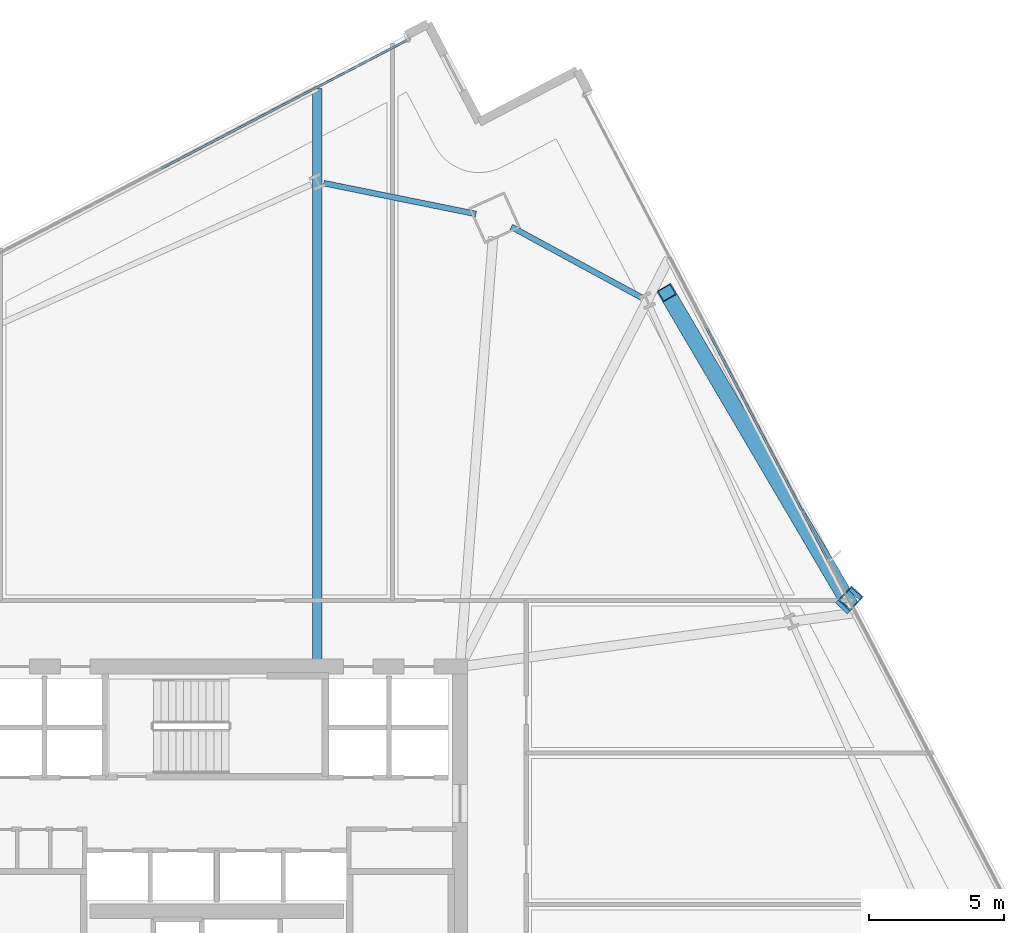
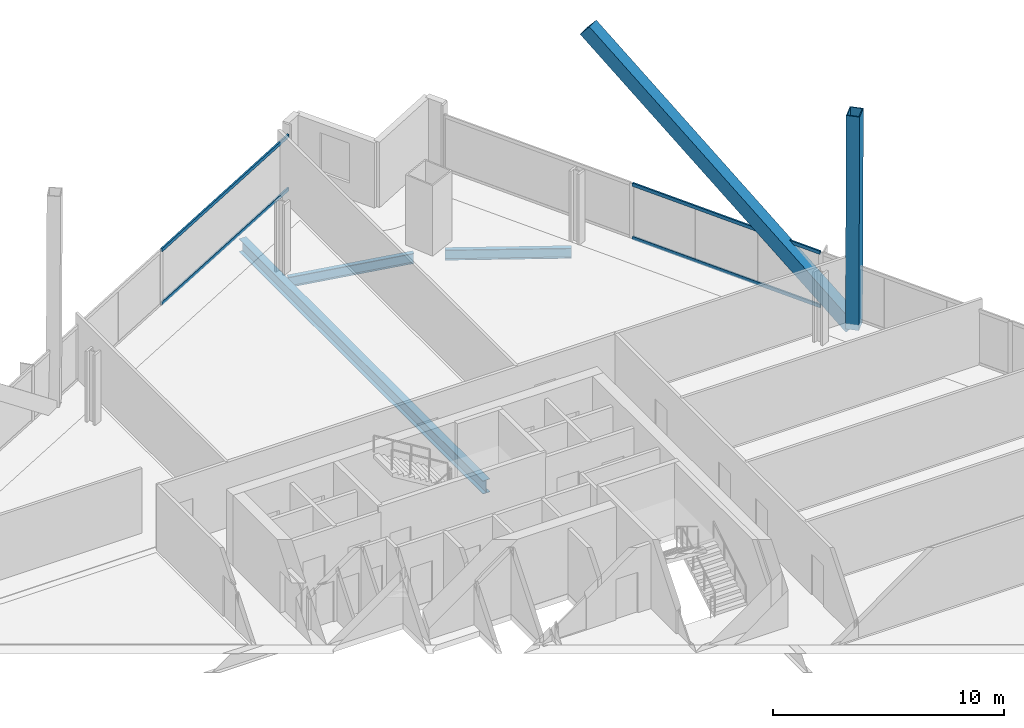
# One storey, part 22 of 33: 6 members, 3 beams, 2 elements without a shape of their own.
"""IFC4 building model written with IfcOpenShell, lengths in metres."""

from ifc_helpers import new_model, si_unit, direction, frame, origin, origin_2d, place, context, subcontext, project, spatial, hollow_rectangle, i_section, extrude, material, material_profile, profile_set, type_object, element, aggregate, save


model = new_model("IFC4")

# Units and contexts
model_context = context("Model", 3, precision=1e-05, world=origin(), true_north=direction((0.0, 1.0)))
body_context = subcontext(model_context, "Body", "Model", "MODEL_VIEW")
ifc_project = project(units=[si_unit("LENGTHUNIT", "METRE"), si_unit("AREAUNIT", "SQUARE_METRE"), si_unit("VOLUMEUNIT", "CUBIC_METRE"), si_unit("PLANEANGLEUNIT", "RADIAN"), si_unit("MASSUNIT", "GRAM", prefix="KILO")], contexts=[model_context])

# Site, building, storey
site_placement = place(None, origin())
site = spatial("IfcSite", under=ifc_project, at=site_placement, CompositionType="ELEMENT")
building_placement = place(site_placement, origin())
building = spatial("IfcBuilding", under=site, at=building_placement, Name="Haldenkirk Collegiate Tower", CompositionType="ELEMENT")
storey_placement = place(building_placement, frame((0.0, 0.0, 120.449951171875)))
storey = spatial("IfcBuildingStorey", under=building, at=storey_placement, Name="L29", CompositionType="ELEMENT", Elevation=120.449951171875)

# Beams
ifc_material_1 = material(Name="Steel ASTM A992 Grade 50", Category="steel")
ifc_material_profile_1 = material_profile(ifc_material_1, i_section(OverallWidth=0.35498046875, OverallDepth=0.696044921875, WebThickness=0.015380859375, FlangeThickness=0.02490234375, at=origin_2d()), Name="W27X146")
ifc_profile_set_1 = profile_set([ifc_material_profile_1], Name="Steel ASTM A992 Grade 50")
beam_type_1 = type_object("IfcBeamType", Name="BM-GIRDER-W27X146", PredefinedType="BEAM", material=ifc_profile_set_1)
beam_1_placement = place(storey_placement, frame((39.71630859375, 55.39697265625, -0.64794921875), z_axis=(0.0, -1.0, 0.0), x_axis=(1.0, 0.0, 0.0)))
element("IfcBeam", 1, at=beam_1_placement, inside=storey, type_object=beam_type_1, Name="L29 primary floor girder 11", PredefinedType="BEAM", context=body_context, shape_type="SweptSolid", body=[
    extrude(i_section(OverallWidth=0.35498046875, OverallDepth=0.696044921875, WebThickness=0.015380859375, FlangeThickness=0.02490234375, at=origin_2d()), origin(), (0.0, 0.0, 1.0), 21.14208984375),
])
ifc_material_profile_2 = material_profile(ifc_material_1, i_section(OverallWidth=0.2119140625, OverallDepth=0.5439453125, WebThickness=0.01318359375, FlangeThickness=0.021240234375, at=origin_2d()), Name="W21X83")
ifc_profile_set_2 = profile_set([ifc_material_profile_2], Name="Steel ASTM A992 Grade 50")
beam_type_2 = type_object("IfcBeamType", Name="BM-SPANDREL-W21X83", PredefinedType="SPANDREL", material=ifc_profile_set_2)
beam_2_placement = place(storey_placement, frame((51.714599609375, 47.66015625, -0.572021484375), z_axis=(-0.878835810931, 0.477124320723, 0.0), x_axis=(-0.477124320723, -0.878835810931, 0.0)))
element("IfcBeam", 2, at=beam_2_placement, inside=storey, type_object=beam_type_2, Name="L29 perimeter spandrel beam 08", PredefinedType="SPANDREL", context=body_context, shape_type="SweptSolid", body=[
    extrude(i_section(OverallWidth=0.2119140625, OverallDepth=0.5439453125, WebThickness=0.01318359375, FlangeThickness=0.021240234375, at=origin_2d()), origin(), (0.0, 0.0, 1.0), 5.477783203125),
])
beam_3_placement = place(storey_placement, frame((45.590087890625, 50.750244140625, -0.572021484375), z_axis=(-0.980069318183, 0.198655811786, 0.0), x_axis=(-0.198655811786, -0.980069318183, 0.0)))
element("IfcBeam", 3, at=beam_3_placement, inside=storey, type_object=beam_type_2, Name="L29 perimeter spandrel beam 09", PredefinedType="SPANDREL", context=body_context, shape_type="SweptSolid", body=[
    extrude(i_section(OverallWidth=0.2119140625, OverallDepth=0.5439453125, WebThickness=0.01318359375, FlangeThickness=0.021240234375, at=origin_2d()), origin(), (0.0, 0.0, 1.0), 5.747802734375),
])

# Curtain wall, members
ifc_material_2 = material(Name="Anodised architectural bronze aluminium", Category="aluminium")
curtain_wall_type = type_object("IfcCurtainWallType", Name="CW-SYS1-CONVEX-LOW", PredefinedType="USERDEFINED", material=ifc_material_2)
curtain_wall_1_placement = place(storey_placement, origin())
curtain_wall_1 = element("IfcCurtainWall", 4, at=curtain_wall_1_placement, inside=storey, type_object=curtain_wall_type, Name="L29 Lower tower convex bronze-framed unitised curtain wall", ObjectType="UNITISED CURTAIN WALL", PredefinedType="USERDEFINED")
ifc_material_profile_3 = material_profile(ifc_material_2, hollow_rectangle(XDim=0.080078125, YDim=0.179931640625, WallThickness=0.0048828125, at=origin_2d()), Name="CW-TRN-1A")
ifc_profile_set_3 = profile_set([ifc_material_profile_3], Name="Anodised architectural bronze aluminium")
member_type_1 = type_object("IfcMemberType", Name="CW-TRN-1A", PredefinedType="USERDEFINED", material=ifc_profile_set_3)
member_1_placement = place(storey_placement, frame((54.1240234375, 46.5234375, 0.0400390625), z_axis=(0.46330077788, -0.88620109976, 0.0), x_axis=(0.88620109976, 0.46330077788, 0.0)))
member_1 = element("IfcMember", 5, at=member_1_placement, type_object=member_type_1, Name="CW-1A transom 2.1", ObjectType="TRANSOM", PredefinedType="USERDEFINED", context=body_context, shape_type="SweptSolid", body=[
    extrude(hollow_rectangle(XDim=0.080078125, YDim=0.179931640625, WallThickness=0.0048828125, at=origin_2d()), origin(), (0.0, 0.0, 1.0), 9.638671875),
])
member_2_placement = place(storey_placement, frame((54.1240234375, 46.5234375, 2.861083984375), z_axis=(0.46330077788, -0.88620109976, 0.0), x_axis=(0.88620109976, 0.46330077788, 0.0)))
member_2 = element("IfcMember", 6, at=member_2_placement, type_object=member_type_1, Name="CW-1A transom 2.2", ObjectType="TRANSOM", PredefinedType="USERDEFINED", context=body_context, shape_type="SweptSolid", body=[
    extrude(hollow_rectangle(XDim=0.080078125, YDim=0.179931640625, WallThickness=0.0048828125, at=origin_2d()), origin(), (0.0, 0.0, 1.0), 9.638671875),
])
aggregate(curtain_wall_1, [member_1, member_2])

curtain_wall_2_placement = place(storey_placement, origin())
curtain_wall_2 = element("IfcCurtainWall", 7, at=curtain_wall_2_placement, inside=storey, type_object=curtain_wall_type, Name="L29 Lower tower convex bronze-framed unitised curtain wall", ObjectType="UNITISED CURTAIN WALL", PredefinedType="USERDEFINED")
member_3_placement = place(storey_placement, frame((33.939208984375, 52.422119140625, 0.0400390625), z_axis=(0.886211004878, 0.463281830891, 0.0), x_axis=(-0.463281830891, 0.886211004878, 0.0)))
member_3 = element("IfcMember", 8, at=member_3_placement, type_object=member_type_1, Name="CW-1A transom 4.1", ObjectType="TRANSOM", PredefinedType="USERDEFINED", context=body_context, shape_type="SweptSolid", body=[
    extrude(hollow_rectangle(XDim=0.080078125, YDim=0.179931640625, WallThickness=0.0048828125, at=origin_2d()), origin(), (0.0, 0.0, 1.0), 10.255126953125),
])
member_4_placement = place(storey_placement, frame((33.939208984375, 52.422119140625, 2.861083984375), z_axis=(0.886211004878, 0.463281830891, 0.0), x_axis=(-0.463281830891, 0.886211004878, 0.0)))
member_4 = element("IfcMember", 9, at=member_4_placement, type_object=member_type_1, Name="CW-1A transom 4.2", ObjectType="TRANSOM", PredefinedType="USERDEFINED", context=body_context, shape_type="SweptSolid", body=[
    extrude(hollow_rectangle(XDim=0.080078125, YDim=0.179931640625, WallThickness=0.0048828125, at=origin_2d()), origin(), (0.0, 0.0, 1.0), 10.255126953125),
])
aggregate(curtain_wall_2, [member_3, member_4])

# Members
ifc_material_3 = material(Name="Steel ASTM A572 Grade 50", Category="steel")
ifc_material_profile_4 = material_profile(ifc_material_3, hollow_rectangle(XDim=0.60009765625, YDim=0.719970703125, WallThickness=0.044921875, at=origin_2d()), Name="BOX720X600X45")
ifc_profile_set_4 = profile_set([ifc_material_profile_4], Name="Steel ASTM A572 Grade 50")
member_type_2 = type_object("IfcMemberType", Name="MBR-MEGABRACE-BOX720X600X45", PredefinedType="BRACE", material=ifc_profile_set_4)
member_5_placement = place(storey_placement, frame((59.36279296875, 36.416015625, -0.31005859375), z_axis=(0.009023542127, 0.009612034005, 0.999913088468), x_axis=(-0.729073032878, 0.684435908416, 0.0)))
element("IfcMember", 10, at=member_5_placement, inside=storey, type_object=member_type_2, Name="Perimeter Mega Brace Z2 L29-L31 EL", PredefinedType="BRACE", context=body_context, shape_type="SweptSolid", body=[
    extrude(hollow_rectangle(XDim=0.60009765625, YDim=0.719970703125, WallThickness=0.044921875, at=origin_2d()), origin(), (0.0, 0.0, 1.0), 11.201171875),
])
member_6_placement = place(storey_placement, frame((59.36279296875, 36.416015625, -0.31005859375), z_axis=(-0.386808464274, 0.658389300669, 0.645680060657), x_axis=(-0.862208429715, -0.506553673098, 0.0)))
element("IfcMember", 11, at=member_6_placement, inside=storey, type_object=member_type_2, Name="Perimeter Mega Brace Z2 L29-L31 ER", PredefinedType="BRACE", context=body_context, shape_type="SweptSolid", body=[
    extrude(hollow_rectangle(XDim=0.60009765625, YDim=0.719970703125, WallThickness=0.044921875, at=origin_2d()), origin(), (0.0, 0.0, 1.0), 17.346435546875),
])

save(model, "model.ifc")
